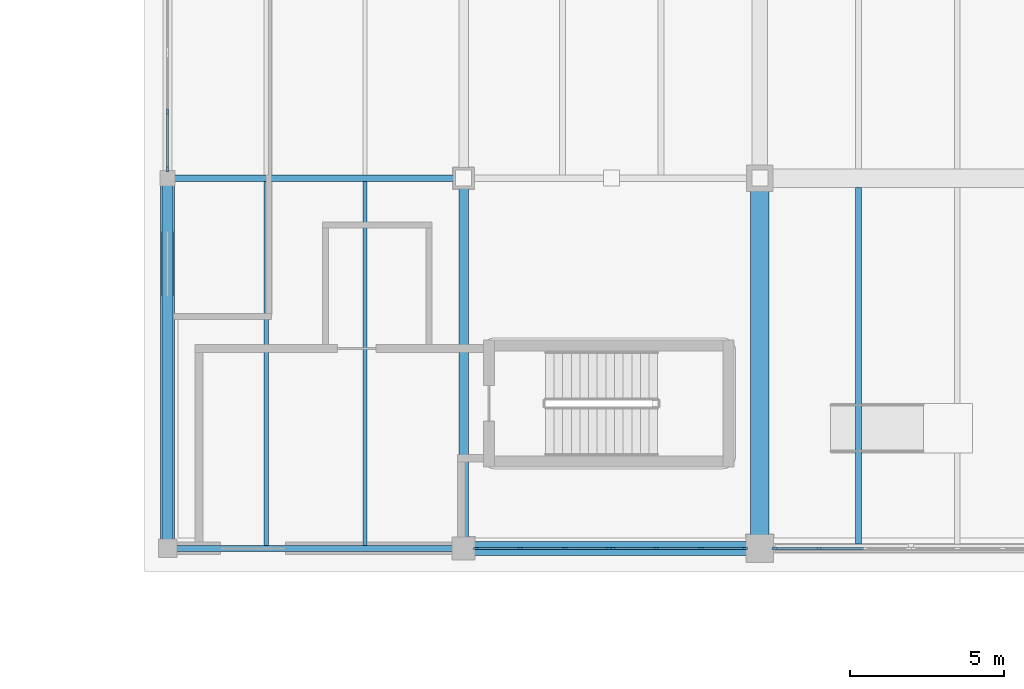
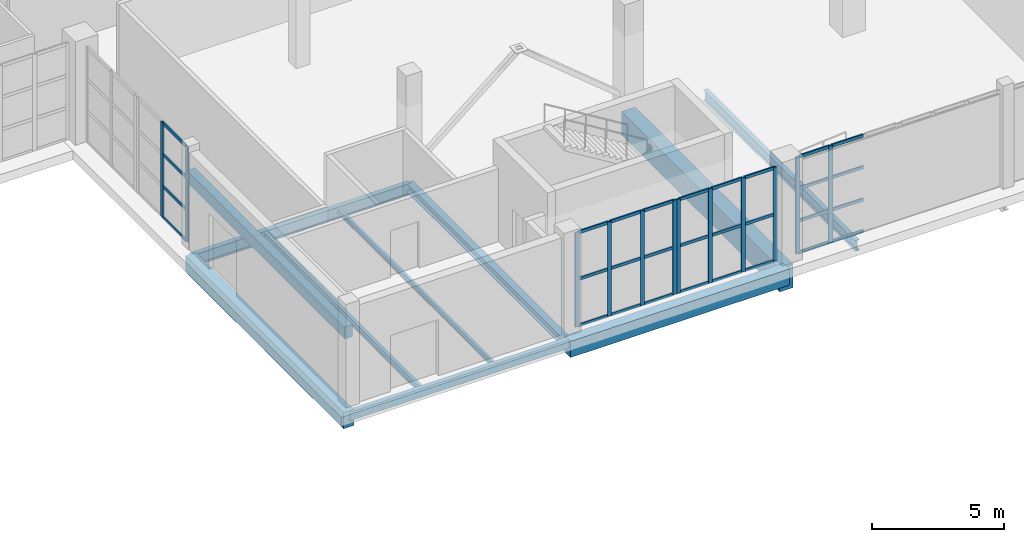
# One storey, part 16 of 121: 42 members, 10 beams, 4 elements without a shape of their own.
"""IFC4 building model written with IfcOpenShell, lengths in metres."""

from ifc_helpers import new_model, si_unit, direction, frame, origin, origin_2d, place, context, subcontext, project, spatial, rectangle, hollow_rectangle, i_section, extrude, material, layer, layer_set, material_profile, profile_set, type_object, element, aggregate, save


model = new_model("IFC4")

# Units and contexts
model_context = context("Model", 3, precision=1e-05, world=origin(), true_north=direction((0.0, 1.0)))
body_context = subcontext(model_context, "Body", "Model", "MODEL_VIEW")
ifc_project = project(units=[si_unit("LENGTHUNIT", "METRE"), si_unit("AREAUNIT", "SQUARE_METRE"), si_unit("VOLUMEUNIT", "CUBIC_METRE"), si_unit("PLANEANGLEUNIT", "RADIAN"), si_unit("MASSUNIT", "GRAM", prefix="KILO")], contexts=[model_context])

# Site, building, storey
site_placement = place(None, origin())
site = spatial("IfcSite", under=ifc_project, at=site_placement, CompositionType="ELEMENT")
building_placement = place(site_placement, origin())
building = spatial("IfcBuilding", under=site, at=building_placement, Name="Zereglee Splitstone Museum", CompositionType="ELEMENT")
storey_placement = place(building_placement, origin())
storey = spatial("IfcBuildingStorey", under=building, at=storey_placement, Name="L00", CompositionType="ELEMENT", Elevation=0.0)

# Beam
ifc_material_1 = material(Name="Concrete C40/50", Category="concrete")
ifc_material_profile_1 = material_profile(ifc_material_1, rectangle(XDim=0.60009765625, YDim=1.10009765625, at=origin_2d()), Name="RC 600x1100")
ifc_profile_set_1 = profile_set([ifc_material_profile_1], Name="Concrete C40/50")
beam_type_1 = type_object("IfcBeamType", Name="BG-01", PredefinedType="BEAM", material=ifc_profile_set_1)
beam_1_placement = place(storey_placement, frame((97.199951171875, 9.60009765625, -0.969970703125), z_axis=(0.0, 1.0, 0.0), x_axis=(-1.0, 0.0, 0.0)))
element("IfcBeam", 1, at=beam_1_placement, inside=storey, type_object=beam_type_1, Name="Primary Girder L00 12 (9.6-21.6)", PredefinedType="BEAM", context=body_context, shape_type="SweptSolid", body=[
    extrude(rectangle(XDim=0.60009765625, YDim=1.10009765625, at=origin_2d()), origin(), (0.0, 0.0, 1.0), 12.0),
])

# Curtain wall, members
ifc_material_2 = material(Name="Triple-glazed low-E argon glass and bronze-anodised aluminium", Category="aluminium")
ifc_layer_1 = layer(ifc_material_2, 0.179931640625)
ifc_layer_set_1 = layer_set([ifc_layer_1], Name="Triple-glazed low-E argon glass and bronze-anodised aluminium")
curtain_wall_type_1 = type_object("IfcCurtainWallType", Name="CW-0378-442", PredefinedType="USERDEFINED", material=ifc_layer_set_1)
curtain_wall_1_placement = place(storey_placement, origin())
curtain_wall_1 = element("IfcCurtainWall", 2, at=curtain_wall_1_placement, inside=storey, type_object=curtain_wall_type_1, Name="Glazed Curtain Wall CW-0378-442 (L00)", ObjectType="GLAZED CURTAIN WALL", PredefinedType="USERDEFINED")
ifc_material_3 = material(Name="Thermally broken bronze-anodised aluminium", Category="aluminium")
ifc_material_profile_2 = material_profile(ifc_material_3, rectangle(XDim=0.06494140625, YDim=0.179931640625, at=origin_2d()), Name="CW MULL 65x180")
ifc_profile_set_2 = profile_set([ifc_material_profile_2], Name="Thermally broken bronze-anodised aluminium")
member_type_1 = type_object("IfcMemberType", Name="CWM-01", PredefinedType="MULLION", material=ifc_profile_set_2)
member_1_placement = place(storey_placement, frame((78.0, 23.74658203125, 0.0), z_axis=(0.0, 0.0, 1.0), x_axis=(1.0, 0.0, 0.0)))
member_1 = element("IfcMember", 3, at=member_1_placement, type_object=member_type_1, Name="CW-0378-442 mullion 2", PredefinedType="MULLION", context=body_context, shape_type="SweptSolid", body=[
    extrude(rectangle(XDim=0.06494140625, YDim=0.179931640625, at=origin_2d()), origin(), (0.0, 0.0, 1.0), 4.419921875),
])
member_2_placement = place(storey_placement, frame((78.0, 21.890380859375, 0.0), z_axis=(0.0, 0.0, 1.0), x_axis=(1.0, 0.0, 0.0)))
member_2 = element("IfcMember", 4, at=member_2_placement, type_object=member_type_1, Name="CW-0378-442 mullion 3", PredefinedType="MULLION", context=body_context, shape_type="SweptSolid", body=[
    extrude(rectangle(XDim=0.06494140625, YDim=0.179931640625, at=origin_2d()), origin(), (0.0, 0.0, 1.0), 4.419921875),
])

ifc_layer_2 = layer(ifc_material_2, 0.179931640625)
ifc_layer_set_2 = layer_set([ifc_layer_2], Name="Triple-glazed low-E argon glass and bronze-anodised aluminium")
curtain_wall_type_2 = type_object("IfcCurtainWallType", Name="CW-0434-438", PredefinedType="USERDEFINED", material=ifc_layer_set_2)
curtain_wall_2_placement = place(storey_placement, origin())
curtain_wall_2 = element("IfcCurtainWall", 5, at=curtain_wall_2_placement, inside=storey, type_object=curtain_wall_type_2, Name="Glazed Curtain Wall CW-0434-438 (L00)", ObjectType="GLAZED CURTAIN WALL", PredefinedType="USERDEFINED")
member_3_placement = place(storey_placement, frame((88.015380859375, 9.60009765625, 0.0), z_axis=(0.0, 0.0, 1.0), x_axis=(0.0, 1.0, 0.0)))
member_3 = element("IfcMember", 6, at=member_3_placement, type_object=member_type_1, Name="CW-0434-438 mullion 1", PredefinedType="MULLION", context=body_context, shape_type="SweptSolid", body=[
    extrude(rectangle(XDim=0.06494140625, YDim=0.179931640625, at=origin_2d()), origin(), (0.0, 0.0, 1.0), 4.3798828125),
])
member_4_placement = place(storey_placement, frame((89.429443359375, 9.60009765625, 0.0), z_axis=(0.0, 0.0, 1.0), x_axis=(0.0, 1.0, 0.0)))
member_4 = element("IfcMember", 7, at=member_4_placement, type_object=member_type_1, Name="CW-0434-438 mullion 2", PredefinedType="MULLION", context=body_context, shape_type="SweptSolid", body=[
    extrude(rectangle(XDim=0.06494140625, YDim=0.179931640625, at=origin_2d()), origin(), (0.0, 0.0, 1.0), 4.3798828125),
])
member_5_placement = place(storey_placement, frame((90.8759765625, 9.60009765625, 0.0), z_axis=(0.0, 0.0, 1.0), x_axis=(0.0, 1.0, 0.0)))
member_5 = element("IfcMember", 8, at=member_5_placement, type_object=member_type_1, Name="CW-0434-438 mullion 3", PredefinedType="MULLION", context=body_context, shape_type="SweptSolid", body=[
    extrude(rectangle(XDim=0.06494140625, YDim=0.179931640625, at=origin_2d()), origin(), (0.0, 0.0, 1.0), 4.3798828125),
])
member_6_placement = place(storey_placement, frame((92.2900390625, 9.60009765625, 0.0), z_axis=(0.0, 0.0, 1.0), x_axis=(0.0, 1.0, 0.0)))
member_6 = element("IfcMember", 9, at=member_6_placement, type_object=member_type_1, Name="CW-0434-438 mullion 4", PredefinedType="MULLION", context=body_context, shape_type="SweptSolid", body=[
    extrude(rectangle(XDim=0.06494140625, YDim=0.179931640625, at=origin_2d()), origin(), (0.0, 0.0, 1.0), 4.3798828125),
])

ifc_layer_3 = layer(ifc_material_2, 0.179931640625)
ifc_layer_set_3 = layer_set([ifc_layer_3], Name="Triple-glazed low-E argon glass and bronze-anodised aluminium")
curtain_wall_type_3 = type_object("IfcCurtainWallType", Name="CW-0434-436", PredefinedType="USERDEFINED", material=ifc_layer_set_3)
curtain_wall_3_placement = place(storey_placement, origin())
curtain_wall_3 = element("IfcCurtainWall", 10, at=curtain_wall_3_placement, inside=storey, type_object=curtain_wall_type_3, Name="Glazed Curtain Wall CW-0434-436 (L00)", ObjectType="GLAZED CURTAIN WALL", PredefinedType="USERDEFINED")
member_7_placement = place(storey_placement, frame((92.43505859375, 9.60009765625, 0.0), z_axis=(0.0, 0.0, 1.0), x_axis=(0.0, 1.0, 0.0)))
member_7 = element("IfcMember", 11, at=member_7_placement, type_object=member_type_1, Name="CW-0434-436 mullion 1", PredefinedType="MULLION", context=body_context, shape_type="SweptSolid", body=[
    extrude(rectangle(XDim=0.06494140625, YDim=0.179931640625, at=origin_2d()), origin(), (0.0, 0.0, 1.0), 4.360107421875),
])
member_8_placement = place(storey_placement, frame((93.84912109375, 9.60009765625, 0.0), z_axis=(0.0, 0.0, 1.0), x_axis=(0.0, 1.0, 0.0)))
member_8 = element("IfcMember", 12, at=member_8_placement, type_object=member_type_1, Name="CW-0434-436 mullion 2", PredefinedType="MULLION", context=body_context, shape_type="SweptSolid", body=[
    extrude(rectangle(XDim=0.06494140625, YDim=0.179931640625, at=origin_2d()), origin(), (0.0, 0.0, 1.0), 4.360107421875),
])
member_9_placement = place(storey_placement, frame((95.29541015625, 9.60009765625, 0.0), z_axis=(0.0, 0.0, 1.0), x_axis=(0.0, 1.0, 0.0)))
member_9 = element("IfcMember", 13, at=member_9_placement, type_object=member_type_1, Name="CW-0434-436 mullion 3", PredefinedType="MULLION", context=body_context, shape_type="SweptSolid", body=[
    extrude(rectangle(XDim=0.06494140625, YDim=0.179931640625, at=origin_2d()), origin(), (0.0, 0.0, 1.0), 4.360107421875),
])
member_10_placement = place(storey_placement, frame((96.70947265625, 9.60009765625, 0.0), z_axis=(0.0, 0.0, 1.0), x_axis=(0.0, 1.0, 0.0)))
member_10 = element("IfcMember", 14, at=member_10_placement, type_object=member_type_1, Name="CW-0434-436 mullion 4", PredefinedType="MULLION", context=body_context, shape_type="SweptSolid", body=[
    extrude(rectangle(XDim=0.06494140625, YDim=0.179931640625, at=origin_2d()), origin(), (0.0, 0.0, 1.0), 4.360107421875),
])

ifc_layer_4 = layer(ifc_material_2, 0.179931640625)
ifc_layer_set_4 = layer_set([ifc_layer_4], Name="Triple-glazed low-E argon glass and bronze-anodised aluminium")
curtain_wall_type_4 = type_object("IfcCurtainWallType", Name="CW-0440-450", PredefinedType="USERDEFINED", material=ifc_layer_set_4)
curtain_wall_4_placement = place(storey_placement, origin())
curtain_wall_4 = element("IfcCurtainWall", 15, at=curtain_wall_4_placement, inside=storey, type_object=curtain_wall_type_4, Name="Glazed Curtain Wall CW-0440-450 (L00)", ObjectType="GLAZED CURTAIN WALL", PredefinedType="USERDEFINED")
member_11_placement = place(storey_placement, frame((97.6904296875, 9.60009765625, 0.0), z_axis=(0.0, 0.0, 1.0), x_axis=(0.0, 1.0, 0.0)))
member_11 = element("IfcMember", 16, at=member_11_placement, type_object=member_type_1, Name="CW-0440-450 mullion 1", PredefinedType="MULLION", context=body_context, shape_type="SweptSolid", body=[
    extrude(rectangle(XDim=0.06494140625, YDim=0.179931640625, at=origin_2d()), origin(), (0.0, 0.0, 1.0), 4.5),
])
member_12_placement = place(storey_placement, frame((99.125244140625, 9.60009765625, 0.0), z_axis=(0.0, 0.0, 1.0), x_axis=(0.0, 1.0, 0.0)))
member_12 = element("IfcMember", 17, at=member_12_placement, type_object=member_type_1, Name="CW-0440-450 mullion 2", PredefinedType="MULLION", context=body_context, shape_type="SweptSolid", body=[
    extrude(rectangle(XDim=0.06494140625, YDim=0.179931640625, at=origin_2d()), origin(), (0.0, 0.0, 1.0), 4.5),
])

# Member
ifc_material_profile_3 = material_profile(ifc_material_3, rectangle(XDim=0.06494140625, YDim=0.139892578125, at=origin_2d()), Name="CW TRAN 65x140")
ifc_profile_set_3 = profile_set([ifc_material_profile_3], Name="Thermally broken bronze-anodised aluminium")
member_type_2 = type_object("IfcMemberType", Name="CWT-01", PredefinedType="USERDEFINED", material=ifc_profile_set_3)
member_13_placement = place(storey_placement, frame((78.0, 23.714111328125, 0.032470703125), z_axis=(0.0, -1.0, 0.0), x_axis=(1.0, 0.0, 0.0)))
member_13 = element("IfcMember", 18, at=member_13_placement, type_object=member_type_2, Name="CW-0378-442 transom 2.1", ObjectType="TRANSOM", PredefinedType="USERDEFINED", context=body_context, shape_type="SweptSolid", body=[
    extrude(rectangle(XDim=0.06494140625, YDim=0.139892578125, at=origin_2d()), origin(), (0.0, 0.0, 1.0), 1.791015625),
])

member_14_placement = place(storey_placement, frame((78.0, 23.714111328125, 1.473388671875), z_axis=(0.0, -1.0, 0.0), x_axis=(1.0, 0.0, 0.0)))
member_14 = element("IfcMember", 19, at=member_14_placement, type_object=member_type_2, Name="CW-0378-442 transom 2.2", ObjectType="TRANSOM", PredefinedType="USERDEFINED", context=body_context, shape_type="SweptSolid", body=[
    extrude(rectangle(XDim=0.06494140625, YDim=0.139892578125, at=origin_2d()), origin(), (0.0, 0.0, 1.0), 1.791015625),
])

member_15_placement = place(storey_placement, frame((78.0, 23.714111328125, 2.94677734375), z_axis=(0.0, -1.0, 0.0), x_axis=(1.0, 0.0, 0.0)))
member_15 = element("IfcMember", 20, at=member_15_placement, type_object=member_type_2, Name="CW-0378-442 transom 2.3", ObjectType="TRANSOM", PredefinedType="USERDEFINED", context=body_context, shape_type="SweptSolid", body=[
    extrude(rectangle(XDim=0.06494140625, YDim=0.139892578125, at=origin_2d()), origin(), (0.0, 0.0, 1.0), 1.791015625),
])

member_16_placement = place(storey_placement, frame((78.0, 23.714111328125, 4.387451171875), z_axis=(0.0, -1.0, 0.0), x_axis=(1.0, 0.0, 0.0)))
member_16 = element("IfcMember", 21, at=member_16_placement, type_object=member_type_2, Name="CW-0378-442 transom 2.4", ObjectType="TRANSOM", PredefinedType="USERDEFINED", context=body_context, shape_type="SweptSolid", body=[
    extrude(rectangle(XDim=0.06494140625, YDim=0.139892578125, at=origin_2d()), origin(), (0.0, 0.0, 1.0), 1.791015625),
])

aggregate(curtain_wall_1, [member_1, member_2, member_13, member_14, member_15, member_16])

member_17_placement = place(storey_placement, frame((88.048095703125, 9.60009765625, 0.032470703125), z_axis=(1.0, 0.0, 0.0), x_axis=(0.0, 1.0, 0.0)))
member_17 = element("IfcMember", 22, at=member_17_placement, type_object=member_type_2, Name="CW-0434-438 transom 1.1", ObjectType="TRANSOM", PredefinedType="USERDEFINED", context=body_context, shape_type="SweptSolid", body=[
    extrude(rectangle(XDim=0.06494140625, YDim=0.139892578125, at=origin_2d()), origin(), (0.0, 0.0, 1.0), 1.348876953125),
])

member_18_placement = place(storey_placement, frame((88.048095703125, 9.60009765625, 2.18994140625), z_axis=(1.0, 0.0, 0.0), x_axis=(0.0, 1.0, 0.0)))
member_18 = element("IfcMember", 23, at=member_18_placement, type_object=member_type_2, Name="CW-0434-438 transom 1.2", ObjectType="TRANSOM", PredefinedType="USERDEFINED", context=body_context, shape_type="SweptSolid", body=[
    extrude(rectangle(XDim=0.06494140625, YDim=0.139892578125, at=origin_2d()), origin(), (0.0, 0.0, 1.0), 1.348876953125),
])

member_19_placement = place(storey_placement, frame((88.048095703125, 9.60009765625, 4.347412109375), z_axis=(1.0, 0.0, 0.0), x_axis=(0.0, 1.0, 0.0)))
member_19 = element("IfcMember", 24, at=member_19_placement, type_object=member_type_2, Name="CW-0434-438 transom 1.3", ObjectType="TRANSOM", PredefinedType="USERDEFINED", context=body_context, shape_type="SweptSolid", body=[
    extrude(rectangle(XDim=0.06494140625, YDim=0.139892578125, at=origin_2d()), origin(), (0.0, 0.0, 1.0), 1.348876953125),
])

member_20_placement = place(storey_placement, frame((89.4619140625, 9.60009765625, 0.032470703125), z_axis=(1.0, 0.0, 0.0), x_axis=(0.0, 1.0, 0.0)))
member_20 = element("IfcMember", 25, at=member_20_placement, type_object=member_type_2, Name="CW-0434-438 transom 2.1", ObjectType="TRANSOM", PredefinedType="USERDEFINED", context=body_context, shape_type="SweptSolid", body=[
    extrude(rectangle(XDim=0.06494140625, YDim=0.139892578125, at=origin_2d()), origin(), (0.0, 0.0, 1.0), 1.381591796875),
])

member_21_placement = place(storey_placement, frame((89.4619140625, 9.60009765625, 2.18994140625), z_axis=(1.0, 0.0, 0.0), x_axis=(0.0, 1.0, 0.0)))
member_21 = element("IfcMember", 26, at=member_21_placement, type_object=member_type_2, Name="CW-0434-438 transom 2.2", ObjectType="TRANSOM", PredefinedType="USERDEFINED", context=body_context, shape_type="SweptSolid", body=[
    extrude(rectangle(XDim=0.06494140625, YDim=0.139892578125, at=origin_2d()), origin(), (0.0, 0.0, 1.0), 1.381591796875),
])

member_22_placement = place(storey_placement, frame((89.4619140625, 9.60009765625, 4.347412109375), z_axis=(1.0, 0.0, 0.0), x_axis=(0.0, 1.0, 0.0)))
member_22 = element("IfcMember", 27, at=member_22_placement, type_object=member_type_2, Name="CW-0434-438 transom 2.3", ObjectType="TRANSOM", PredefinedType="USERDEFINED", context=body_context, shape_type="SweptSolid", body=[
    extrude(rectangle(XDim=0.06494140625, YDim=0.139892578125, at=origin_2d()), origin(), (0.0, 0.0, 1.0), 1.381591796875),
])

member_23_placement = place(storey_placement, frame((90.908447265625, 9.60009765625, 0.032470703125), z_axis=(1.0, 0.0, 0.0), x_axis=(0.0, 1.0, 0.0)))
member_23 = element("IfcMember", 28, at=member_23_placement, type_object=member_type_2, Name="CW-0434-438 transom 3.1", ObjectType="TRANSOM", PredefinedType="USERDEFINED", context=body_context, shape_type="SweptSolid", body=[
    extrude(rectangle(XDim=0.06494140625, YDim=0.139892578125, at=origin_2d()), origin(), (0.0, 0.0, 1.0), 1.34912109375),
])

member_24_placement = place(storey_placement, frame((90.908447265625, 9.60009765625, 2.18994140625), z_axis=(1.0, 0.0, 0.0), x_axis=(0.0, 1.0, 0.0)))
member_24 = element("IfcMember", 29, at=member_24_placement, type_object=member_type_2, Name="CW-0434-438 transom 3.2", ObjectType="TRANSOM", PredefinedType="USERDEFINED", context=body_context, shape_type="SweptSolid", body=[
    extrude(rectangle(XDim=0.06494140625, YDim=0.139892578125, at=origin_2d()), origin(), (0.0, 0.0, 1.0), 1.34912109375),
])

member_25_placement = place(storey_placement, frame((90.908447265625, 9.60009765625, 4.347412109375), z_axis=(1.0, 0.0, 0.0), x_axis=(0.0, 1.0, 0.0)))
member_25 = element("IfcMember", 30, at=member_25_placement, type_object=member_type_2, Name="CW-0434-438 transom 3.3", ObjectType="TRANSOM", PredefinedType="USERDEFINED", context=body_context, shape_type="SweptSolid", body=[
    extrude(rectangle(XDim=0.06494140625, YDim=0.139892578125, at=origin_2d()), origin(), (0.0, 0.0, 1.0), 1.34912109375),
])

aggregate(curtain_wall_2, [member_3, member_4, member_5, member_6, member_17, member_18, member_19, member_20, member_21, member_22, member_23, member_24, member_25])

member_26_placement = place(storey_placement, frame((92.467529296875, 9.60009765625, 0.032470703125), z_axis=(1.0, 0.0, 0.0), x_axis=(0.0, 1.0, 0.0)))
member_26 = element("IfcMember", 31, at=member_26_placement, type_object=member_type_2, Name="CW-0434-436 transom 1.1", ObjectType="TRANSOM", PredefinedType="USERDEFINED", context=body_context, shape_type="SweptSolid", body=[
    extrude(rectangle(XDim=0.06494140625, YDim=0.139892578125, at=origin_2d()), origin(), (0.0, 0.0, 1.0), 1.348876953125),
])

member_27_placement = place(storey_placement, frame((92.467529296875, 9.60009765625, 2.179931640625), z_axis=(1.0, 0.0, 0.0), x_axis=(0.0, 1.0, 0.0)))
member_27 = element("IfcMember", 32, at=member_27_placement, type_object=member_type_2, Name="CW-0434-436 transom 1.2", ObjectType="TRANSOM", PredefinedType="USERDEFINED", context=body_context, shape_type="SweptSolid", body=[
    extrude(rectangle(XDim=0.06494140625, YDim=0.139892578125, at=origin_2d()), origin(), (0.0, 0.0, 1.0), 1.348876953125),
])

member_28_placement = place(storey_placement, frame((92.467529296875, 9.60009765625, 4.327392578125), z_axis=(1.0, 0.0, 0.0), x_axis=(0.0, 1.0, 0.0)))
member_28 = element("IfcMember", 33, at=member_28_placement, type_object=member_type_2, Name="CW-0434-436 transom 1.3", ObjectType="TRANSOM", PredefinedType="USERDEFINED", context=body_context, shape_type="SweptSolid", body=[
    extrude(rectangle(XDim=0.06494140625, YDim=0.139892578125, at=origin_2d()), origin(), (0.0, 0.0, 1.0), 1.348876953125),
])

member_29_placement = place(storey_placement, frame((93.881591796875, 9.60009765625, 0.032470703125), z_axis=(1.0, 0.0, 0.0), x_axis=(0.0, 1.0, 0.0)))
member_29 = element("IfcMember", 34, at=member_29_placement, type_object=member_type_2, Name="CW-0434-436 transom 2.1", ObjectType="TRANSOM", PredefinedType="USERDEFINED", context=body_context, shape_type="SweptSolid", body=[
    extrude(rectangle(XDim=0.06494140625, YDim=0.139892578125, at=origin_2d()), origin(), (0.0, 0.0, 1.0), 1.38134765625),
])

member_30_placement = place(storey_placement, frame((93.881591796875, 9.60009765625, 2.179931640625), z_axis=(1.0, 0.0, 0.0), x_axis=(0.0, 1.0, 0.0)))
member_30 = element("IfcMember", 35, at=member_30_placement, type_object=member_type_2, Name="CW-0434-436 transom 2.2", ObjectType="TRANSOM", PredefinedType="USERDEFINED", context=body_context, shape_type="SweptSolid", body=[
    extrude(rectangle(XDim=0.06494140625, YDim=0.139892578125, at=origin_2d()), origin(), (0.0, 0.0, 1.0), 1.38134765625),
])

member_31_placement = place(storey_placement, frame((93.881591796875, 9.60009765625, 4.327392578125), z_axis=(1.0, 0.0, 0.0), x_axis=(0.0, 1.0, 0.0)))
member_31 = element("IfcMember", 36, at=member_31_placement, type_object=member_type_2, Name="CW-0434-436 transom 2.3", ObjectType="TRANSOM", PredefinedType="USERDEFINED", context=body_context, shape_type="SweptSolid", body=[
    extrude(rectangle(XDim=0.06494140625, YDim=0.139892578125, at=origin_2d()), origin(), (0.0, 0.0, 1.0), 1.38134765625),
])

member_32_placement = place(storey_placement, frame((95.327880859375, 9.60009765625, 0.032470703125), z_axis=(1.0, 0.0, 0.0), x_axis=(0.0, 1.0, 0.0)))
member_32 = element("IfcMember", 37, at=member_32_placement, type_object=member_type_2, Name="CW-0434-436 transom 3.1", ObjectType="TRANSOM", PredefinedType="USERDEFINED", context=body_context, shape_type="SweptSolid", body=[
    extrude(rectangle(XDim=0.06494140625, YDim=0.139892578125, at=origin_2d()), origin(), (0.0, 0.0, 1.0), 1.34912109375),
])

member_33_placement = place(storey_placement, frame((95.327880859375, 9.60009765625, 2.179931640625), z_axis=(1.0, 0.0, 0.0), x_axis=(0.0, 1.0, 0.0)))
member_33 = element("IfcMember", 38, at=member_33_placement, type_object=member_type_2, Name="CW-0434-436 transom 3.2", ObjectType="TRANSOM", PredefinedType="USERDEFINED", context=body_context, shape_type="SweptSolid", body=[
    extrude(rectangle(XDim=0.06494140625, YDim=0.139892578125, at=origin_2d()), origin(), (0.0, 0.0, 1.0), 1.34912109375),
])

member_34_placement = place(storey_placement, frame((95.327880859375, 9.60009765625, 4.327392578125), z_axis=(1.0, 0.0, 0.0), x_axis=(0.0, 1.0, 0.0)))
member_34 = element("IfcMember", 39, at=member_34_placement, type_object=member_type_2, Name="CW-0434-436 transom 3.3", ObjectType="TRANSOM", PredefinedType="USERDEFINED", context=body_context, shape_type="SweptSolid", body=[
    extrude(rectangle(XDim=0.06494140625, YDim=0.139892578125, at=origin_2d()), origin(), (0.0, 0.0, 1.0), 1.34912109375),
])

aggregate(curtain_wall_3, [member_7, member_8, member_9, member_10, member_26, member_27, member_28, member_29, member_30, member_31, member_32, member_33, member_34])

member_35_placement = place(storey_placement, frame((97.722900390625, 9.60009765625, 0.032470703125), z_axis=(1.0, 0.0, 0.0), x_axis=(0.0, 1.0, 0.0)))
member_35 = element("IfcMember", 40, at=member_35_placement, type_object=member_type_2, Name="CW-0440-450 transom 1.1", ObjectType="TRANSOM", PredefinedType="USERDEFINED", context=body_context, shape_type="SweptSolid", body=[
    extrude(rectangle(XDim=0.06494140625, YDim=0.139892578125, at=origin_2d()), origin(), (0.0, 0.0, 1.0), 1.369873046875),
])

member_36_placement = place(storey_placement, frame((97.722900390625, 9.60009765625, 1.5), z_axis=(1.0, 0.0, 0.0), x_axis=(0.0, 1.0, 0.0)))
member_36 = element("IfcMember", 41, at=member_36_placement, type_object=member_type_2, Name="CW-0440-450 transom 1.2", ObjectType="TRANSOM", PredefinedType="USERDEFINED", context=body_context, shape_type="SweptSolid", body=[
    extrude(rectangle(XDim=0.06494140625, YDim=0.139892578125, at=origin_2d()), origin(), (0.0, 0.0, 1.0), 1.369873046875),
])

member_37_placement = place(storey_placement, frame((97.722900390625, 9.60009765625, 3.0), z_axis=(1.0, 0.0, 0.0), x_axis=(0.0, 1.0, 0.0)))
member_37 = element("IfcMember", 42, at=member_37_placement, type_object=member_type_2, Name="CW-0440-450 transom 1.3", ObjectType="TRANSOM", PredefinedType="USERDEFINED", context=body_context, shape_type="SweptSolid", body=[
    extrude(rectangle(XDim=0.06494140625, YDim=0.139892578125, at=origin_2d()), origin(), (0.0, 0.0, 1.0), 1.369873046875),
])

member_38_placement = place(storey_placement, frame((97.722900390625, 9.60009765625, 4.467529296875), z_axis=(1.0, 0.0, 0.0), x_axis=(0.0, 1.0, 0.0)))
member_38 = element("IfcMember", 43, at=member_38_placement, type_object=member_type_2, Name="CW-0440-450 transom 1.4", ObjectType="TRANSOM", PredefinedType="USERDEFINED", context=body_context, shape_type="SweptSolid", body=[
    extrude(rectangle(XDim=0.06494140625, YDim=0.139892578125, at=origin_2d()), origin(), (0.0, 0.0, 1.0), 1.369873046875),
])

member_39_placement = place(storey_placement, frame((99.15771484375, 9.60009765625, 0.032470703125), z_axis=(1.0, 0.0, 0.0), x_axis=(0.0, 1.0, 0.0)))
member_39 = element("IfcMember", 44, at=member_39_placement, type_object=member_type_2, Name="CW-0440-450 transom 2.1", ObjectType="TRANSOM", PredefinedType="USERDEFINED", context=body_context, shape_type="SweptSolid", body=[
    extrude(rectangle(XDim=0.06494140625, YDim=0.139892578125, at=origin_2d()), origin(), (0.0, 0.0, 1.0), 1.40234375),
])

member_40_placement = place(storey_placement, frame((99.15771484375, 9.60009765625, 1.5), z_axis=(1.0, 0.0, 0.0), x_axis=(0.0, 1.0, 0.0)))
member_40 = element("IfcMember", 45, at=member_40_placement, type_object=member_type_2, Name="CW-0440-450 transom 2.2", ObjectType="TRANSOM", PredefinedType="USERDEFINED", context=body_context, shape_type="SweptSolid", body=[
    extrude(rectangle(XDim=0.06494140625, YDim=0.139892578125, at=origin_2d()), origin(), (0.0, 0.0, 1.0), 1.40234375),
])

member_41_placement = place(storey_placement, frame((99.15771484375, 9.60009765625, 3.0), z_axis=(1.0, 0.0, 0.0), x_axis=(0.0, 1.0, 0.0)))
member_41 = element("IfcMember", 46, at=member_41_placement, type_object=member_type_2, Name="CW-0440-450 transom 2.3", ObjectType="TRANSOM", PredefinedType="USERDEFINED", context=body_context, shape_type="SweptSolid", body=[
    extrude(rectangle(XDim=0.06494140625, YDim=0.139892578125, at=origin_2d()), origin(), (0.0, 0.0, 1.0), 1.40234375),
])

member_42_placement = place(storey_placement, frame((99.15771484375, 9.60009765625, 4.467529296875), z_axis=(1.0, 0.0, 0.0), x_axis=(0.0, 1.0, 0.0)))
member_42 = element("IfcMember", 47, at=member_42_placement, type_object=member_type_2, Name="CW-0440-450 transom 2.4", ObjectType="TRANSOM", PredefinedType="USERDEFINED", context=body_context, shape_type="SweptSolid", body=[
    extrude(rectangle(XDim=0.06494140625, YDim=0.139892578125, at=origin_2d()), origin(), (0.0, 0.0, 1.0), 1.40234375),
])

aggregate(curtain_wall_4, [member_11, member_12, member_35, member_36, member_37, member_38, member_39, member_40, member_41, member_42])

# Beams
ifc_material_4 = material(Name="Steel S355J2", Category="steel")
ifc_material_profile_4 = material_profile(ifc_material_4, i_section(OverallWidth=0.300048828125, OverallDepth=0.39990234375, WebThickness=0.013427734375, FlangeThickness=0.02392578125, FilletRadius=0.027099609375, at=origin_2d()), Name="HE 400 B")
ifc_profile_set_4 = profile_set([ifc_material_profile_4], Name="Steel S355J2")
beam_type_2 = type_object("IfcBeamType", Name="BG-13", PredefinedType="BEAM", material=ifc_profile_set_4)
beam_2_placement = place(storey_placement, frame((87.60009765625, 9.60009765625, -0.6201171875), z_axis=(0.0, 1.0, 0.0), x_axis=(-1.0, 0.0, 0.0)))
element("IfcBeam", 48, at=beam_2_placement, inside=storey, type_object=beam_type_2, Name="Primary Girder L00 11 (9.6-21.6)", PredefinedType="BEAM", context=body_context, shape_type="SweptSolid", body=[
    extrude(i_section(OverallWidth=0.300048828125, OverallDepth=0.39990234375, WebThickness=0.013427734375, FlangeThickness=0.02392578125, FilletRadius=0.027099609375, at=origin_2d()), origin(), (0.0, 0.0, 1.0), 12.0),
])
ifc_material_profile_5 = material_profile(ifc_material_4, i_section(OverallWidth=0.2099609375, OverallDepth=0.550048828125, WebThickness=0.010986328125, FlangeThickness=0.01708984375, FilletRadius=0.02392578125, at=origin_2d()), Name="IPE 550")
ifc_profile_set_5 = profile_set([ifc_material_profile_5], Name="Steel S355J2")
beam_type_3 = type_object("IfcBeamType", Name="BG-16", PredefinedType="BEAM", material=ifc_profile_set_5)
beam_3_placement = place(storey_placement, frame((78.0, 21.60009765625, -0.695068359375), z_axis=(1.0, 0.0, 0.0), x_axis=(0.0, 1.0, 0.0)))
element("IfcBeam", 49, at=beam_3_placement, inside=storey, type_object=beam_type_3, Name="Primary Girder L00 C (78.0-87.6)", PredefinedType="BEAM", context=body_context, shape_type="SweptSolid", body=[
    extrude(i_section(OverallWidth=0.2099609375, OverallDepth=0.550048828125, WebThickness=0.010986328125, FlangeThickness=0.01708984375, FilletRadius=0.02392578125, at=origin_2d()), origin(), (0.0, 0.0, 1.0), 9.60009765625),
])
ifc_material_profile_6 = material_profile(ifc_material_4, i_section(OverallWidth=0.1201171875, OverallDepth=0.239990234375, WebThickness=0.006103515625, FlangeThickness=0.009765625, FilletRadius=0.014892578125, at=origin_2d()), Name="IPE 240")
ifc_profile_set_6 = profile_set([ifc_material_profile_6], Name="Steel S355J2")
beam_type_4 = type_object("IfcBeamType", Name="BJ-07", PredefinedType="JOIST", material=ifc_profile_set_6)
beam_4_placement = place(storey_placement, frame((84.39990234375, 9.699951171875, -0.5400390625), z_axis=(0.0, 1.0, 0.0), x_axis=(-1.0, 0.0, 0.0)))
element("IfcBeam", 50, at=beam_4_placement, inside=storey, type_object=beam_type_4, Name="Secondary Floor Joist L00-0279", PredefinedType="JOIST", context=body_context, shape_type="SweptSolid", body=[
    extrude(i_section(OverallWidth=0.1201171875, OverallDepth=0.239990234375, WebThickness=0.006103515625, FlangeThickness=0.009765625, FilletRadius=0.014892578125, at=origin_2d()), origin(), (0.0, 0.0, 1.0), 11.795166015625),
])
ifc_material_profile_7 = material_profile(ifc_material_4, i_section(OverallWidth=0.14990234375, OverallDepth=0.300048828125, WebThickness=0.007080078125, FlangeThickness=0.0107421875, FilletRadius=0.014892578125, at=origin_2d()), Name="IPE 300")
ifc_profile_set_7 = profile_set([ifc_material_profile_7], Name="Steel S355J2")
beam_type_5 = type_object("IfcBeamType", Name="BJ-06", PredefinedType="JOIST", material=ifc_profile_set_7)
beam_5_placement = place(storey_placement, frame((81.199951171875, 9.699951171875, -0.570068359375), z_axis=(0.0, 1.0, 0.0), x_axis=(-1.0, 0.0, 0.0)))
element("IfcBeam", 51, at=beam_5_placement, inside=storey, type_object=beam_type_5, Name="Secondary Floor Joist L00-0278", PredefinedType="JOIST", context=body_context, shape_type="SweptSolid", body=[
    extrude(i_section(OverallWidth=0.14990234375, OverallDepth=0.300048828125, WebThickness=0.007080078125, FlangeThickness=0.0107421875, FilletRadius=0.014892578125, at=origin_2d()), origin(), (0.0, 0.0, 1.0), 11.795166015625),
])
ifc_material_profile_8 = material_profile(ifc_material_4, i_section(OverallWidth=0.199951171875, OverallDepth=0.5, WebThickness=0.01025390625, FlangeThickness=0.01611328125, FilletRadius=0.02099609375, at=origin_2d()), Name="IPE 500")
ifc_profile_set_8 = profile_set([ifc_material_profile_8], Name="Steel S355J2")
beam_type_6 = type_object("IfcBeamType", Name="BJ-01", PredefinedType="JOIST", material=ifc_profile_set_8)
beam_6_placement = place(storey_placement, frame((100.39990234375, 9.75, -0.669921875), z_axis=(0.0, 1.0, 0.0), x_axis=(-1.0, 0.0, 0.0)))
element("IfcBeam", 52, at=beam_6_placement, inside=storey, type_object=beam_type_6, Name="Secondary Floor Joist L00-0280", PredefinedType="JOIST", context=body_context, shape_type="SweptSolid", body=[
    extrude(i_section(OverallWidth=0.199951171875, OverallDepth=0.5, WebThickness=0.01025390625, FlangeThickness=0.01611328125, FilletRadius=0.02099609375, at=origin_2d()), origin(), (0.0, 0.0, 1.0), 11.550048828125),
])
ifc_material_5 = material(Name="Precast concrete C40/50", Category="concrete")
ifc_material_profile_9 = material_profile(ifc_material_5, rectangle(XDim=0.35009765625, YDim=0.550048828125, at=origin_2d()), Name="RC 350x550")
ifc_profile_set_9 = profile_set([ifc_material_profile_9], Name="Precast concrete C40/50")
beam_type_7 = type_object("IfcBeamType", Name="LN-01", PredefinedType="LINTEL", material=ifc_profile_set_9)
beam_7_placement = place(storey_placement, frame((78.0, 9.60009765625, 3.25), z_axis=(0.0, 1.0, 0.0), x_axis=(-1.0, 0.0, 0.0)))
element("IfcBeam", 53, at=beam_7_placement, inside=storey, type_object=beam_type_7, Name="Pishtaq Portal Lintel LNT-05", PredefinedType="LINTEL", context=body_context, shape_type="SweptSolid", body=[
    extrude(rectangle(XDim=0.35009765625, YDim=0.550048828125, at=origin_2d()), origin(), (0.0, 0.0, 1.0), 12.0),
])
ifc_material_profile_10 = material_profile(ifc_material_1, rectangle(XDim=0.449951171875, YDim=0.75, at=origin_2d()), Name="RC 450x750")
ifc_profile_set_10 = profile_set([ifc_material_profile_10], Name="Concrete C40/50")
beam_type_8 = type_object("IfcBeamType", Name="SP-01", PredefinedType="SPANDREL", material=ifc_profile_set_10)
beam_8_placement = place(storey_placement, frame((87.60009765625, 9.60009765625, -0.794921875), z_axis=(1.0, 0.0, 0.0), x_axis=(0.0, 1.0, 0.0)))
element("IfcBeam", 54, at=beam_8_placement, inside=storey, type_object=beam_type_8, Name="Primary Girder L00 B (87.6-97.2)", PredefinedType="SPANDREL", context=body_context, shape_type="SweptSolid", body=[
    extrude(rectangle(XDim=0.449951171875, YDim=0.75, at=origin_2d()), origin(), (0.0, 0.0, 1.0), 9.599853515625),
])
beam_9_placement = place(storey_placement, frame((78.0, 9.60009765625, -0.794921875), z_axis=(0.0, 1.0, 0.0), x_axis=(-1.0, 0.0, 0.0)))
element("IfcBeam", 55, at=beam_9_placement, inside=storey, type_object=beam_type_8, Name="Primary Girder L00 10 (9.6-21.6)", PredefinedType="SPANDREL", context=body_context, shape_type="SweptSolid", body=[
    extrude(rectangle(XDim=0.449951171875, YDim=0.75, at=origin_2d()), origin(), (0.0, 0.0, 1.0), 12.0),
])
ifc_material_6 = material(Name="Steel S355J2H", Category="steel")
ifc_material_profile_11 = material_profile(ifc_material_6, hollow_rectangle(XDim=0.199951171875, YDim=0.39990234375, WallThickness=0.01611328125, at=origin_2d()), Name="RHS 400x200x16")
ifc_profile_set_11 = profile_set([ifc_material_profile_11], Name="Steel S355J2H")
beam_type_9 = type_object("IfcBeamType", Name="SP-04", PredefinedType="SPANDREL", material=ifc_profile_set_11)
beam_10_placement = place(storey_placement, frame((78.0, 9.60009765625, -0.6201171875), z_axis=(1.0, 0.0, 0.0), x_axis=(0.0, 1.0, 0.0)))
element("IfcBeam", 56, at=beam_10_placement, inside=storey, type_object=beam_type_9, Name="Primary Girder L00 B (78.0-87.6)", PredefinedType="SPANDREL", context=body_context, shape_type="SweptSolid", body=[
    extrude(hollow_rectangle(XDim=0.199951171875, YDim=0.39990234375, WallThickness=0.01611328125, at=origin_2d()), origin(), (0.0, 0.0, 1.0), 9.60009765625),
])

save(model, "model.ifc")
